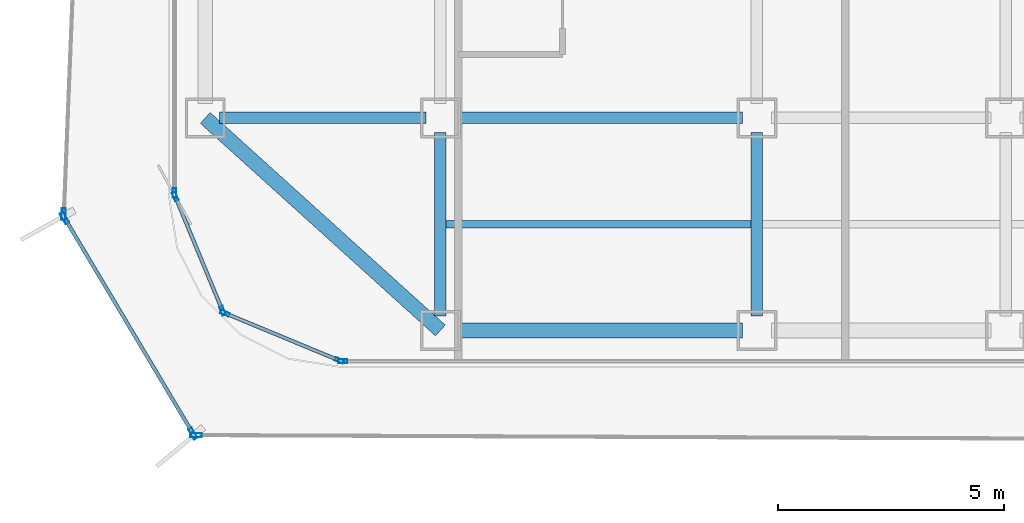
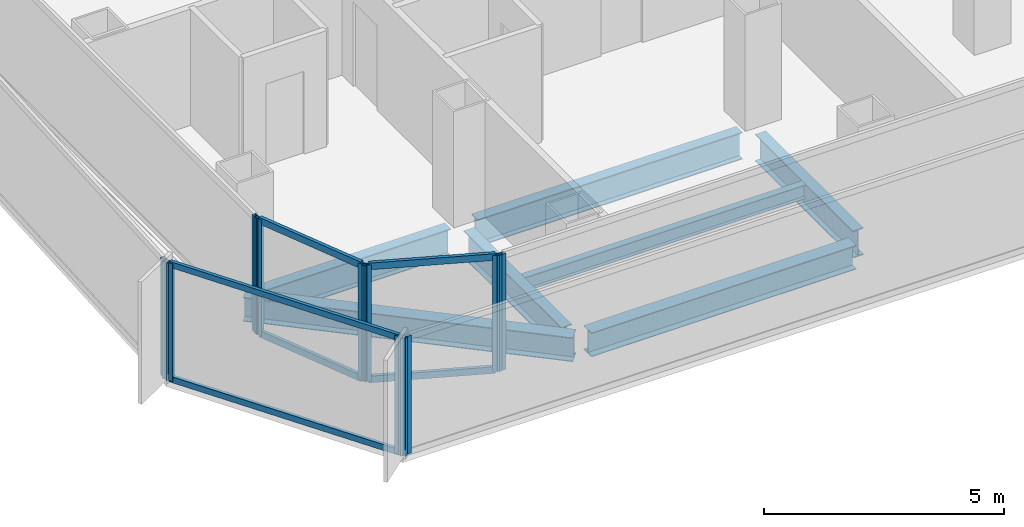
# One storey, part 2 of 21: 16 members, 7 beams, 7 elements without a shape of their own.
"""IFC4 building model written with IfcOpenShell, lengths in metres."""

from ifc_helpers import new_model, si_unit, direction, frame, origin, origin_2d, place, context, subcontext, project, spatial, hollow_rectangle, i_section, extrude, source, transform, mapped, material, layer, layer_set, material_profile, profile_set, type_object, element, aggregate, save


model = new_model("IFC4")

# Units and contexts
model_context = context("Model", 3, precision=1e-05, world=origin(), true_north=direction((0.0, 1.0)))
body_context = subcontext(model_context, "Body", "Model", "MODEL_VIEW")
ifc_project = project(units=[si_unit("LENGTHUNIT", "METRE"), si_unit("AREAUNIT", "SQUARE_METRE"), si_unit("VOLUMEUNIT", "CUBIC_METRE"), si_unit("PLANEANGLEUNIT", "RADIAN"), si_unit("MASSUNIT", "GRAM", prefix="KILO")], contexts=[model_context])

# Site, building, storey
site_placement = place(None, origin())
site = spatial("IfcSite", under=ifc_project, at=site_placement, CompositionType="ELEMENT")
building_placement = place(site_placement, origin())
building = spatial("IfcBuilding", under=site, at=building_placement, Name="Kolveth Station Tower", CompositionType="ELEMENT")
storey_placement = place(building_placement, frame((0.0, 0.0, 108.699951171875)))
storey = spatial("IfcBuildingStorey", under=building, at=storey_placement, Name="L29", CompositionType="ELEMENT", Elevation=108.699951171875)

# Beams
ifc_material_1 = material(Name="Steel S355", Category="steel")
ifc_material_profile_1 = material_profile(ifc_material_1, i_section(OverallWidth=0.323974609375, OverallDepth=0.611083984375, WebThickness=0.0126953125, FlangeThickness=0.01904296875, at=origin_2d()), Name="W610x155")
ifc_profile_set_1 = profile_set([ifc_material_profile_1], Name="Steel S355")
beam_type_1 = type_object("IfcBeamType", Name="Beam_SP2", PredefinedType="SPANDREL", material=ifc_profile_set_1)
shared_shape_1 = source(origin(), body_context, "Body", "SweptSolid", [
    extrude(i_section(OverallWidth=0.323974609375, OverallDepth=0.611083984375, WebThickness=0.0126953125, FlangeThickness=0.01904296875, at=origin_2d()), origin(), (0.0, 0.0, 1.0), 6.35986328125),
])
beam_1_placement = place(storey_placement, frame((6.320068359375, 0.800048828125, -0.555419921875), z_axis=(1.0, 0.0, 0.0), x_axis=(0.0, 1.0, 0.0)))
element("IfcBeam", 1, at=beam_1_placement, inside=storey, type_object=beam_type_1, Name="L29 Perimeter Spandrel BM-L29-PS-1", PredefinedType="SPANDREL", context=body_context, shape_type="MappedRepresentation", body=[
    mapped(shared_shape_1, transform((0.0, 0.0, 0.0), x_axis=(1.0, 0.0, 0.0), y_axis=(0.0, 1.0, 0.0), z_axis=(0.0, 0.0, 1.0), scale=1.0)),
])
shared_shape_2 = source(origin(), body_context, "Body", "SweptSolid", [
    extrude(i_section(OverallWidth=0.323974609375, OverallDepth=0.611083984375, WebThickness=0.0126953125, FlangeThickness=0.01904296875, at=origin_2d()), origin(), (0.0, 0.0, 1.0), 7.00927734375),
])
beam_2_placement = place(storey_placement, frame((0.800048828125, 5.5, -0.555419921875), z_axis=(0.741874009795, -0.670539300557, 0.0), x_axis=(0.670539300557, 0.741874009795, 0.0)))
element("IfcBeam", 2, at=beam_2_placement, inside=storey, type_object=beam_type_1, Name="L29 Corner Edge Girder BM-L29-CNR-SW", PredefinedType="SPANDREL", context=body_context, shape_type="MappedRepresentation", body=[
    mapped(shared_shape_2, transform((0.0, 0.0, 0.0), x_axis=(1.0, 0.0, 0.0), y_axis=(0.0, 1.0, 0.0), z_axis=(0.0, 0.0, 1.0), scale=1.0)),
])
ifc_material_profile_2 = material_profile(ifc_material_1, i_section(OverallWidth=0.25390625, OverallDepth=0.68798828125, WebThickness=0.01318359375, FlangeThickness=0.02099609375, at=origin_2d()), Name="W690x152")
ifc_profile_set_2 = profile_set([ifc_material_profile_2], Name="Steel S355")
beam_type_2 = type_object("IfcBeamType", Name="Beam_B4", PredefinedType="BEAM", material=ifc_profile_set_2)
shared_shape_3 = source(origin(), body_context, "Body", "SweptSolid", [
    extrude(i_section(OverallWidth=0.25390625, OverallDepth=0.68798828125, WebThickness=0.01318359375, FlangeThickness=0.02099609375, at=origin_2d()), origin(), (0.0, 0.0, 1.0), 4.559814453125),
])
beam_3_placement = place(storey_placement, frame((1.1201171875, 5.5, -0.593994140625), z_axis=(1.0, 0.0, 0.0), x_axis=(0.0, 1.0, 0.0)))
element("IfcBeam", 3, at=beam_3_placement, inside=storey, type_object=beam_type_2, Name="L29 Primary Girder BM-L29-GY55-1", PredefinedType="BEAM", context=body_context, shape_type="MappedRepresentation", body=[
    mapped(shared_shape_3, transform((0.0, 0.0, 0.0), x_axis=(1.0, 0.0, 0.0), y_axis=(0.0, 1.0, 0.0), z_axis=(0.0, 0.0, 1.0), scale=1.0)),
])
shared_shape_4 = source(origin(), body_context, "Body", "SweptSolid", [
    extrude(i_section(OverallWidth=0.25390625, OverallDepth=0.68798828125, WebThickness=0.01318359375, FlangeThickness=0.02099609375, at=origin_2d()), origin(), (0.0, 0.0, 1.0), 6.35986328125),
])
beam_4_placement = place(storey_placement, frame((6.320068359375, 5.5, -0.593994140625), z_axis=(1.0, 0.0, 0.0), x_axis=(0.0, 1.0, 0.0)))
element("IfcBeam", 4, at=beam_4_placement, inside=storey, type_object=beam_type_2, Name="L29 Primary Girder BM-L29-GY55-2", PredefinedType="BEAM", context=body_context, shape_type="MappedRepresentation", body=[
    mapped(shared_shape_4, transform((0.0, 0.0, 0.0), x_axis=(1.0, 0.0, 0.0), y_axis=(0.0, 1.0, 0.0), z_axis=(0.0, 0.0, 1.0), scale=1.0)),
])
shared_shape_5 = source(origin(), body_context, "Body", "SweptSolid", [
    extrude(i_section(OverallWidth=0.25390625, OverallDepth=0.68798828125, WebThickness=0.01318359375, FlangeThickness=0.02099609375, at=origin_2d()), origin(), (0.0, 0.0, 1.0), 4.059814453125),
])
for number, where, z_axis, x_axis, name in (
    (5, (6.0, 1.1201171875, -0.593994140625), (0.0, 1.0, 0.0), (-1.0, 0.0, 0.0), "L29 Primary Girder BM-L29-GX60-1"),
    (6, (13.0, 1.1201171875, -0.593994140625), (0.0, 1.0, 0.0), (-1.0, 0.0, 0.0), "L29 Primary Girder BM-L29-GX130-1"),
):
    element("IfcBeam", number, at=place(storey_placement, frame(where, z_axis=z_axis, x_axis=x_axis)), inside=storey, type_object=beam_type_2, Name=name, PredefinedType="BEAM", context=body_context, shape_type="MappedRepresentation", body=[
        mapped(shared_shape_5, transform((0.0, 0.0, 0.0), x_axis=(1.0, 0.0, 0.0), y_axis=(0.0, 1.0, 0.0), z_axis=(0.0, 0.0, 1.0), scale=1.0)),
    ])
ifc_material_profile_3 = material_profile(ifc_material_1, i_section(OverallWidth=0.1708984375, OverallDepth=0.35205078125, WebThickness=0.0068359375, FlangeThickness=0.009765625, at=origin_2d()), Name="W360x44")
ifc_profile_set_3 = profile_set([ifc_material_profile_3], Name="Steel S355")
beam_type_3 = type_object("IfcBeamType", Name="Beam_J2", PredefinedType="JOIST", material=ifc_profile_set_3)
shared_shape_6 = source(origin(), body_context, "Body", "SweptSolid", [
    extrude(i_section(OverallWidth=0.1708984375, OverallDepth=0.35205078125, WebThickness=0.0068359375, FlangeThickness=0.009765625, at=origin_2d()), origin(), (0.0, 0.0, 1.0), 6.75),
])
beam_5_placement = place(storey_placement, frame((6.125, 3.14990234375, -0.426025390625), z_axis=(1.0, 0.0, 0.0), x_axis=(0.0, 1.0, 0.0)))
element("IfcBeam", 7, at=beam_5_placement, inside=storey, type_object=beam_type_3, Name="L29 Secondary Joist JST-L29-2-1", PredefinedType="JOIST", context=body_context, shape_type="MappedRepresentation", body=[
    mapped(shared_shape_6, transform((0.0, 0.0, 0.0), x_axis=(1.0, 0.0, 0.0), y_axis=(0.0, 1.0, 0.0), z_axis=(0.0, 0.0, 1.0), scale=1.0)),
])

# Curtain wall, member
ifc_material_2 = material(Name="Aluminium 6063-T6 and low-E dark glass", Category="aluminium")
ifc_layer_1 = layer(ifc_material_2, 0.18994140625)
ifc_layer_set_1 = layer_set([ifc_layer_1], Name="Aluminium 6063-T6 and low-E dark glass")
curtain_wall_type_1 = type_object("IfcCurtainWallType", Name="CurtainWall_CW-Z2", PredefinedType="NOTDEFINED", material=ifc_layer_set_1)
curtain_wall_1_placement = place(storey_placement, origin())
curtain_wall_1 = element("IfcCurtainWall", 8, at=curtain_wall_1_placement, inside=storey, type_object=curtain_wall_type_1, Name="L29 Inner Thermal Curtain Wall 9", PredefinedType="NOTDEFINED")
ifc_material_3 = material(Name="Black anodized aluminium 6063-T6", Category="aluminium")
ifc_material_profile_4 = material_profile(ifc_material_3, hollow_rectangle(XDim=0.080078125, YDim=0.199951171875, WallThickness=0.0048828125, at=origin_2d()), Name="ALU-80x200x5")
ifc_profile_set_4 = profile_set([ifc_material_profile_4], Name="Black anodized aluminium 6063-T6")
member_type_1 = type_object("IfcMemberType", Name="Mullion_ML2", PredefinedType="MULLION", material=ifc_profile_set_4)
shared_shape_7 = source(origin(), body_context, "Body", "SweptSolid", [
    extrude(hollow_rectangle(XDim=0.080078125, YDim=0.199951171875, WallThickness=0.0048828125, at=origin_2d()), origin(), (0.0, 0.0, 1.0), 2.949951171875),
])
member_1_placement = place(storey_placement, frame((0.1201171875, 3.840087890625, 0.0), z_axis=(0.0, 0.0, 1.0), x_axis=(1.0, 0.0, 0.0)))
member_1 = element("IfcMember", 9, at=member_1_placement, type_object=member_type_1, Name="CW-Z2 mullion 2", PredefinedType="MULLION", context=body_context, shape_type="MappedRepresentation", body=[
    mapped(shared_shape_7, transform((0.0, 0.0, 0.0), x_axis=(1.0, 0.0, 0.0), y_axis=(0.0, 1.0, 0.0), z_axis=(0.0, 0.0, 1.0), scale=1.0)),
])
aggregate(curtain_wall_1, [member_1])

# Curtain wall, members
curtain_wall_2_placement = place(storey_placement, origin())
curtain_wall_2 = element("IfcCurtainWall", 10, at=curtain_wall_2_placement, inside=storey, type_object=curtain_wall_type_1, Name="L29 Inner Thermal Curtain Wall 10", PredefinedType="NOTDEFINED")
member_2_placement = place(storey_placement, frame((0.13525390625, 3.762939453125, 0.0), z_axis=(0.0, 0.0, 1.0), x_axis=(0.923887883787, 0.38266326998, 0.0)))
member_2 = element("IfcMember", 11, at=member_2_placement, type_object=member_type_1, Name="CW-Z2 mullion 1", PredefinedType="MULLION", context=body_context, shape_type="MappedRepresentation", body=[
    mapped(shared_shape_7, transform((0.0, 0.0, 0.0), x_axis=(1.0, 0.0, 0.0), y_axis=(0.0, 1.0, 0.0), z_axis=(0.0, 0.0, 1.0), scale=1.0)),
])
member_3_placement = place(storey_placement, frame((1.182373046875, 1.23486328125, 0.0), z_axis=(0.0, 0.0, 1.0), x_axis=(0.923887883787, 0.38266326998, 0.0)))
member_3 = element("IfcMember", 12, at=member_3_placement, type_object=member_type_1, Name="CW-Z2 mullion 2", PredefinedType="MULLION", context=body_context, shape_type="MappedRepresentation", body=[
    mapped(shared_shape_7, transform((0.0, 0.0, 0.0), x_axis=(1.0, 0.0, 0.0), y_axis=(0.0, 1.0, 0.0), z_axis=(0.0, 0.0, 1.0), scale=1.0)),
])

curtain_wall_3_placement = place(storey_placement, origin())
curtain_wall_3 = element("IfcCurtainWall", 13, at=curtain_wall_3_placement, inside=storey, type_object=curtain_wall_type_1, Name="L29 Inner Thermal Curtain Wall 11", PredefinedType="NOTDEFINED")
member_4_placement = place(storey_placement, frame((1.23486328125, 1.182373046875, 0.0), z_axis=(0.0, 0.0, 1.0), x_axis=(0.38266326998, 0.923887883787, 0.0)))
member_4 = element("IfcMember", 14, at=member_4_placement, type_object=member_type_1, Name="CW-Z2 mullion 1", PredefinedType="MULLION", context=body_context, shape_type="MappedRepresentation", body=[
    mapped(shared_shape_7, transform((0.0, 0.0, 0.0), x_axis=(1.0, 0.0, 0.0), y_axis=(0.0, 1.0, 0.0), z_axis=(0.0, 0.0, 1.0), scale=1.0)),
])
member_5_placement = place(storey_placement, frame((3.762939453125, 0.13525390625, 0.0), z_axis=(0.0, 0.0, 1.0), x_axis=(0.38266326998, 0.923887883787, 0.0)))
member_5 = element("IfcMember", 15, at=member_5_placement, type_object=member_type_1, Name="CW-Z2 mullion 2", PredefinedType="MULLION", context=body_context, shape_type="MappedRepresentation", body=[
    mapped(shared_shape_7, transform((0.0, 0.0, 0.0), x_axis=(1.0, 0.0, 0.0), y_axis=(0.0, 1.0, 0.0), z_axis=(0.0, 0.0, 1.0), scale=1.0)),
])

# Curtain wall, member
curtain_wall_4_placement = place(storey_placement, origin())
curtain_wall_4 = element("IfcCurtainWall", 16, at=curtain_wall_4_placement, inside=storey, type_object=curtain_wall_type_1, Name="L29 Inner Thermal Curtain Wall 12", PredefinedType="NOTDEFINED")
member_6_placement = place(storey_placement, frame((3.840087890625, 0.1201171875, 0.0), z_axis=(0.0, 0.0, 1.0), x_axis=(0.0, 1.0, 0.0)))
member_6 = element("IfcMember", 17, at=member_6_placement, type_object=member_type_1, Name="CW-Z2 mullion 1", PredefinedType="MULLION", context=body_context, shape_type="MappedRepresentation", body=[
    mapped(shared_shape_7, transform((0.0, 0.0, 0.0), x_axis=(1.0, 0.0, 0.0), y_axis=(0.0, 1.0, 0.0), z_axis=(0.0, 0.0, 1.0), scale=1.0)),
])
aggregate(curtain_wall_4, [member_6])

# Member
ifc_material_profile_5 = material_profile(ifc_material_3, hollow_rectangle(XDim=0.080078125, YDim=0.169921875, WallThickness=0.0048828125, at=origin_2d()), Name="ALU-80x170x5")
ifc_profile_set_5 = profile_set([ifc_material_profile_5], Name="Black anodized aluminium 6063-T6")
member_type_2 = type_object("IfcMemberType", Name="Transom_TR2", PredefinedType="USERDEFINED", material=ifc_profile_set_5)
shared_shape_8 = source(origin(), body_context, "Body", "SweptSolid", [
    extrude(hollow_rectangle(XDim=0.080078125, YDim=0.169921875, WallThickness=0.0048828125, at=origin_2d()), origin(), (0.0, 0.0, 1.0), 2.656494140625),
])
member_7_placement = place(storey_placement, frame((0.150634765625, 3.72607421875, 0.0400390625), z_axis=(0.382676455475, -0.923882422403, 0.0), x_axis=(0.923882422403, 0.382676455475, 0.0)))
member_7 = element("IfcMember", 18, at=member_7_placement, type_object=member_type_2, Name="CW-Z2 transom 1.1", ObjectType="TRANSOM", PredefinedType="USERDEFINED", context=body_context, shape_type="MappedRepresentation", body=[
    mapped(shared_shape_8, transform((0.0, 0.0, 0.0), x_axis=(1.0, 0.0, 0.0), y_axis=(0.0, 1.0, 0.0), z_axis=(0.0, 0.0, 1.0), scale=1.0)),
])

member_8_placement = place(storey_placement, frame((0.150634765625, 3.72607421875, 2.91015625), z_axis=(0.382676455475, -0.923882422403, 0.0), x_axis=(0.923882422403, 0.382676455475, 0.0)))
member_8 = element("IfcMember", 19, at=member_8_placement, type_object=member_type_2, Name="CW-Z2 transom 1.2", ObjectType="TRANSOM", PredefinedType="USERDEFINED", context=body_context, shape_type="MappedRepresentation", body=[
    mapped(shared_shape_8, transform((0.0, 0.0, 0.0), x_axis=(1.0, 0.0, 0.0), y_axis=(0.0, 1.0, 0.0), z_axis=(0.0, 0.0, 1.0), scale=1.0)),
])

aggregate(curtain_wall_2, [member_2, member_3, member_7, member_8])

member_9_placement = place(storey_placement, frame((1.271728515625, 1.167236328125, 0.0400390625), z_axis=(0.923882422403, -0.382676455475, 0.0), x_axis=(0.382676455475, 0.923882422403, 0.0)))
member_9 = element("IfcMember", 20, at=member_9_placement, type_object=member_type_2, Name="CW-Z2 transom 1.1", ObjectType="TRANSOM", PredefinedType="USERDEFINED", context=body_context, shape_type="MappedRepresentation", body=[
    mapped(shared_shape_8, transform((0.0, 0.0, 0.0), x_axis=(1.0, 0.0, 0.0), y_axis=(0.0, 1.0, 0.0), z_axis=(0.0, 0.0, 1.0), scale=1.0)),
])

member_10_placement = place(storey_placement, frame((1.271728515625, 1.167236328125, 2.91015625), z_axis=(0.923882422403, -0.382676455475, 0.0), x_axis=(0.382676455475, 0.923882422403, 0.0)))
member_10 = element("IfcMember", 21, at=member_10_placement, type_object=member_type_2, Name="CW-Z2 transom 1.2", ObjectType="TRANSOM", PredefinedType="USERDEFINED", context=body_context, shape_type="MappedRepresentation", body=[
    mapped(shared_shape_8, transform((0.0, 0.0, 0.0), x_axis=(1.0, 0.0, 0.0), y_axis=(0.0, 1.0, 0.0), z_axis=(0.0, 0.0, 1.0), scale=1.0)),
])

aggregate(curtain_wall_3, [member_4, member_5, member_9, member_10])

# Curtain wall, member
ifc_material_4 = material(Name="Black anodized aluminium 6063-T6 and dark solar glass", Category="aluminium")
ifc_layer_2 = layer(ifc_material_4, 0.159912109375)
ifc_layer_set_2 = layer_set([ifc_layer_2], Name="Black anodized aluminium 6063-T6 and dark solar glass")
curtain_wall_type_2 = type_object("IfcCurtainWallType", Name="OUTER SKIN CW-OS", PredefinedType="NOTDEFINED", material=ifc_layer_set_2)
curtain_wall_5_placement = place(storey_placement, origin())
curtain_wall_5 = element("IfcCurtainWall", 22, at=curtain_wall_5_placement, inside=storey, type_object=curtain_wall_type_2, Name="L29 Outer Ventilated Skin Curtain Wall 6", PredefinedType="NOTDEFINED")
ifc_material_profile_6 = material_profile(ifc_material_3, hollow_rectangle(XDim=0.090087890625, YDim=0.260009765625, WallThickness=0.0048828125, at=origin_2d()), Name="ALU-90x260x5")
ifc_profile_set_6 = profile_set([ifc_material_profile_6], Name="Black anodized aluminium 6063-T6")
member_type_3 = type_object("IfcMemberType", Name="FIN MULLION ML-OS", PredefinedType="MULLION", material=ifc_profile_set_6)
shared_shape_9 = source(origin(), body_context, "Body", "SweptSolid", [
    extrude(hollow_rectangle(XDim=0.090087890625, YDim=0.260009765625, WallThickness=0.0048828125, at=origin_2d()), origin(), (0.0, 0.0, 1.0), 2.989990234375),
])
member_11_placement = place(storey_placement, frame((-2.33349609375, 3.37109375, 0.0), z_axis=(0.0, 0.0, 1.0), x_axis=(0.999196993693, -0.040067041242, 0.0)))
member_11 = element("IfcMember", 23, at=member_11_placement, type_object=member_type_3, Name="CW-OS mullion 2", PredefinedType="MULLION", context=body_context, shape_type="MappedRepresentation", body=[
    mapped(shared_shape_9, transform((0.0, 0.0, 0.0), x_axis=(1.0, 0.0, 0.0), y_axis=(0.0, 1.0, 0.0), z_axis=(0.0, 0.0, 1.0), scale=1.0)),
])
aggregate(curtain_wall_5, [member_11])

# Curtain wall, members
curtain_wall_6_placement = place(storey_placement, origin())
curtain_wall_6 = element("IfcCurtainWall", 24, at=curtain_wall_6_placement, inside=storey, type_object=curtain_wall_type_2, Name="L29 Outer Ventilated Skin Curtain Wall 7", PredefinedType="NOTDEFINED")
member_12_placement = place(storey_placement, frame((-2.312255859375, 3.28759765625, 0.0), z_axis=(0.0, 0.0, 1.0), x_axis=(0.85912062186, 0.511773150032, 0.0)))
member_12 = element("IfcMember", 25, at=member_12_placement, type_object=member_type_3, Name="CW-OS mullion 1", PredefinedType="MULLION", context=body_context, shape_type="MappedRepresentation", body=[
    mapped(shared_shape_9, transform((0.0, 0.0, 0.0), x_axis=(1.0, 0.0, 0.0), y_axis=(0.0, 1.0, 0.0), z_axis=(0.0, 0.0, 1.0), scale=1.0)),
])
member_13_placement = place(storey_placement, frame((0.527587890625, -1.479736328125, 0.0), z_axis=(0.0, 0.0, 1.0), x_axis=(0.85912062186, 0.511773150032, 0.0)))
member_13 = element("IfcMember", 26, at=member_13_placement, type_object=member_type_3, Name="CW-OS mullion 2", PredefinedType="MULLION", context=body_context, shape_type="MappedRepresentation", body=[
    mapped(shared_shape_9, transform((0.0, 0.0, 0.0), x_axis=(1.0, 0.0, 0.0), y_axis=(0.0, 1.0, 0.0), z_axis=(0.0, 0.0, 1.0), scale=1.0)),
])

# Curtain wall, member
curtain_wall_7_placement = place(storey_placement, origin())
curtain_wall_7 = element("IfcCurtainWall", 27, at=curtain_wall_7_placement, inside=storey, type_object=curtain_wall_type_2, Name="L29 Outer Ventilated Skin Curtain Wall 8", PredefinedType="NOTDEFINED")
member_14_placement = place(storey_placement, frame((0.595703125, -1.5185546875, 0.0), z_axis=(0.0, 0.0, 1.0), x_axis=(0.004105923193, 0.999991570662, 0.0)))
member_14 = element("IfcMember", 28, at=member_14_placement, type_object=member_type_3, Name="CW-OS mullion 1", PredefinedType="MULLION", context=body_context, shape_type="MappedRepresentation", body=[
    mapped(shared_shape_9, transform((0.0, 0.0, 0.0), x_axis=(1.0, 0.0, 0.0), y_axis=(0.0, 1.0, 0.0), z_axis=(0.0, 0.0, 1.0), scale=1.0)),
])
aggregate(curtain_wall_7, [member_14])

# Member
ifc_material_profile_7 = material_profile(ifc_material_3, hollow_rectangle(XDim=0.080078125, YDim=0.14990234375, WallThickness=0.0048828125, at=origin_2d()), Name="ALU-80x150x5")
ifc_profile_set_7 = profile_set([ifc_material_profile_7], Name="Black anodized aluminium 6063-T6")
member_type_4 = type_object("IfcMemberType", Name="Transom_TR-OS", PredefinedType="USERDEFINED", material=ifc_profile_set_7)
shared_shape_10 = source(origin(), body_context, "Body", "SweptSolid", [
    extrude(hollow_rectangle(XDim=0.080078125, YDim=0.14990234375, WallThickness=0.0048828125, at=origin_2d()), origin(), (0.0, 0.0, 1.0), 5.458984375),
])
member_15_placement = place(storey_placement, frame((-2.289306640625, 3.248779296875, 0.0400390625), z_axis=(0.5117967477, -0.859106564428, 0.0), x_axis=(0.859106564428, 0.5117967477, 0.0)))
member_15 = element("IfcMember", 29, at=member_15_placement, type_object=member_type_4, Name="CW-OS transom 1.1", ObjectType="TRANSOM", PredefinedType="USERDEFINED", context=body_context, shape_type="MappedRepresentation", body=[
    mapped(shared_shape_10, transform((0.0, 0.0, 0.0), x_axis=(1.0, 0.0, 0.0), y_axis=(0.0, 1.0, 0.0), z_axis=(0.0, 0.0, 1.0), scale=1.0)),
])

member_16_placement = place(storey_placement, frame((-2.289306640625, 3.248779296875, 2.949951171875), z_axis=(0.5117967477, -0.859106564428, 0.0), x_axis=(0.859106564428, 0.5117967477, 0.0)))
member_16 = element("IfcMember", 30, at=member_16_placement, type_object=member_type_4, Name="CW-OS transom 1.2", ObjectType="TRANSOM", PredefinedType="USERDEFINED", context=body_context, shape_type="MappedRepresentation", body=[
    mapped(shared_shape_10, transform((0.0, 0.0, 0.0), x_axis=(1.0, 0.0, 0.0), y_axis=(0.0, 1.0, 0.0), z_axis=(0.0, 0.0, 1.0), scale=1.0)),
])

aggregate(curtain_wall_6, [member_12, member_13, member_15, member_16])

save(model, "model.ifc")
